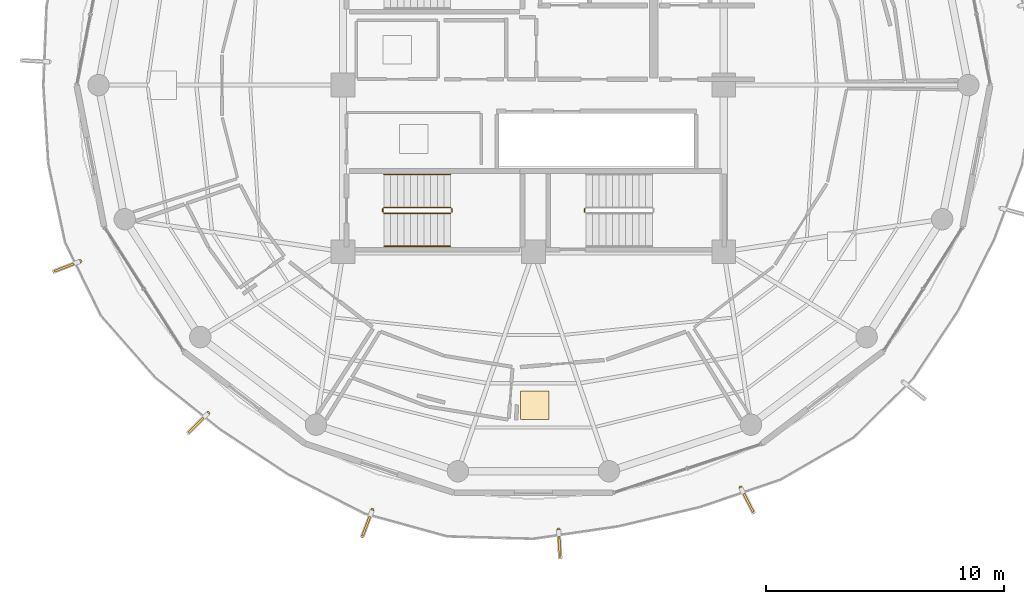
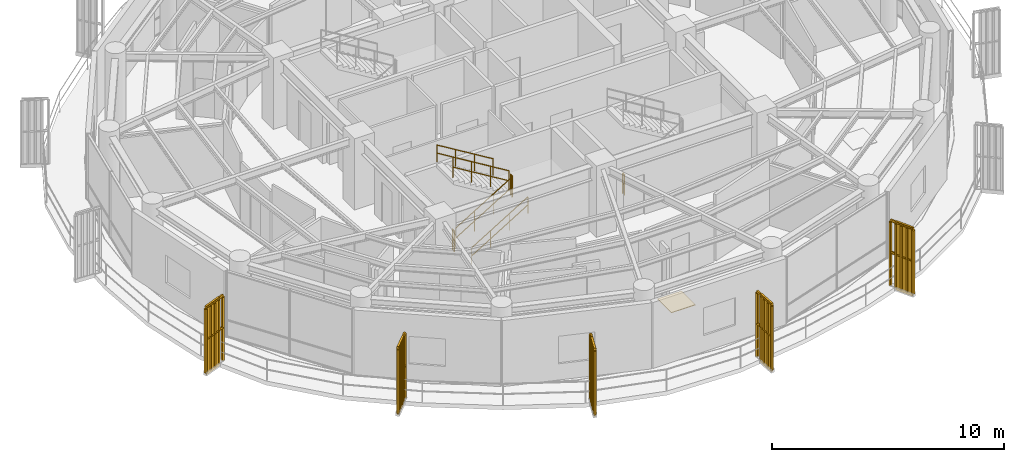
# One storey, part 20 of 23: 12 railings, 5 shading devices, 1 covering.
"""IFC4 building model written with IfcOpenShell, lengths in metres."""

from ifc_helpers import new_model, si_unit, direction, frame, origin, origin_2d, place, context, subcontext, project, spatial, polyline, rectangle, outline, extrude, source, transform, mapped, material, layer, layer_set, type_object, element, save


model = new_model("IFC4")

# Units and contexts
model_context = context("Model", 3, precision=1e-05, world=origin(), true_north=direction((0.0, 1.0)))
body_context = subcontext(model_context, "Body", "Model", "MODEL_VIEW")
ifc_project = project(units=[si_unit("LENGTHUNIT", "METRE"), si_unit("AREAUNIT", "SQUARE_METRE"), si_unit("VOLUMEUNIT", "CUBIC_METRE"), si_unit("PLANEANGLEUNIT", "RADIAN"), si_unit("MASSUNIT", "GRAM", prefix="KILO")], contexts=[model_context])

# Site, building, storey
site_placement = place(None, origin())
site = spatial("IfcSite", under=ifc_project, at=site_placement, CompositionType="ELEMENT")
building_placement = place(site_placement, origin())
building = spatial("IfcBuilding", under=site, at=building_placement, Name="Kelanora Arch Commons", CompositionType="ELEMENT")
storey_placement = place(building_placement, frame((0.0, 0.0, 278.699951171875)))
storey = spatial("IfcBuildingStorey", under=building, at=storey_placement, Name="L71", CompositionType="ELEMENT", Elevation=278.699951171875)

# Railings
ifc_material_1 = material(Name="Anodised bronze vertical shading fin rib assembly")
railing_type_1 = type_object("IfcRailingType", Name="RAIL-FIN-BRZ", PredefinedType="BALUSTRADE", material=ifc_material_1)
railing_1_placement = place(storey_placement, frame((54.947509765625, 50.593994140625, -0.02001953125)))
element("IfcRailing", 1, at=railing_1_placement, inside=storey, type_object=railing_type_1, Name="Sweeping Bronze Vertical Fin Blade L71-09", PredefinedType="BALUSTRADE", context=body_context, shape_type="SweptSolid", body=[
    extrude(outline(polyline([(0.06982421875, 0.0), (0.034912109375, 0.060546875), (-0.034912109375, 0.060546875), (-0.06982421875, 0.0), (-0.034912109375, -0.060546875), (0.034912109375, -0.060546875), (0.06982421875, 0.0)])), frame((0.0, 0.0, 3.419921875), z_axis=(-0.932079488436, -0.362253816042, 0.0), x_axis=(0.362253816042, -0.932079488436, 0.0)), (0.0, 0.0, 1.0), 1.163330078125),
    extrude(outline(polyline([(0.06982421875, 0.0), (0.034912109375, 0.060546875), (-0.034912109375, 0.060546875), (-0.06982421875, 0.0), (-0.034912109375, -0.060546875), (0.034912109375, -0.060546875), (0.06982421875, 0.0)])), frame((0.0, 0.0, 1.7451171875), z_axis=(-0.932079488436, -0.362253816042, 0.0), x_axis=(0.362253816042, -0.932079488436, 0.0)), (0.0, 0.0, 1.0), 1.163330078125),
    extrude(outline(polyline([(0.080078125, 0.0), (0.0400390625, 0.0693359375), (-0.0400390625, 0.0693359375), (-0.080078125, 0.0), (-0.0400390625, -0.0693359375), (0.0400390625, -0.0693359375), (0.080078125, 0.0)])), origin(), (0.0, 0.0, 1.0), 3.35009765625),
    extrude(outline(polyline([(0.080078125, 0.0), (0.0400390625, 0.0693359375), (-0.0400390625, 0.0693359375), (-0.080078125, 0.0), (-0.0400390625, -0.0693359375), (0.0400390625, -0.0693359375), (0.080078125, 0.0)])), frame((-0.27099609375, -0.10546875, 0.0)), (0.0, 0.0, 1.0), 3.35009765625),
    extrude(outline(polyline([(0.080078125, 0.0), (0.0400390625, 0.0693359375), (-0.0400390625, 0.0693359375), (-0.080078125, 0.0), (-0.0400390625, -0.0693359375), (0.0400390625, -0.0693359375), (0.080078125, 0.0)])), frame((-0.5419921875, -0.210693359375, 0.0)), (0.0, 0.0, 1.0), 3.35009765625),
    extrude(outline(polyline([(0.080078125, 0.0), (0.0400390625, 0.0693359375), (-0.0400390625, 0.0693359375), (-0.080078125, 0.0), (-0.0400390625, -0.0693359375), (0.0400390625, -0.0693359375), (0.080078125, 0.0)])), frame((-0.813232421875, -0.31591796875, 0.0)), (0.0, 0.0, 1.0), 3.35009765625),
    extrude(outline(polyline([(0.080078125, 0.0), (0.0400390625, 0.0693359375), (-0.0400390625, 0.0693359375), (-0.080078125, 0.0), (-0.0400390625, -0.0693359375), (0.0400390625, -0.0693359375), (0.080078125, 0.0)])), frame((-1.084228515625, -0.42138671875, 0.0)), (0.0, 0.0, 1.0), 3.35009765625),
])
railing_2_placement = place(storey_placement, frame((60.32861328125, 44.21240234375, -0.02001953125)))
element("IfcRailing", 2, at=railing_2_placement, inside=storey, type_object=railing_type_1, Name="Sweeping Bronze Vertical Fin Blade L71-10", PredefinedType="BALUSTRADE", context=body_context, shape_type="SweptSolid", body=[
    extrude(outline(polyline([(0.06982421875, 0.0), (0.034912109375, 0.060546875), (-0.034912109375, 0.060546875), (-0.06982421875, 0.0), (-0.034912109375, -0.060546875), (0.034912109375, -0.060546875), (0.06982421875, 0.0)])), frame((0.0, 0.0, 3.419921875), z_axis=(-0.704162293787, -0.710039058087, 0.0), x_axis=(0.710039058087, -0.704162293787, 0.0)), (0.0, 0.0, 1.0), 1.163330078125),
    extrude(outline(polyline([(0.06982421875, 0.0), (0.034912109375, 0.060546875), (-0.034912109375, 0.060546875), (-0.06982421875, 0.0), (-0.034912109375, -0.060546875), (0.034912109375, -0.060546875), (0.06982421875, 0.0)])), frame((0.0, 0.0, 1.7451171875), z_axis=(-0.704162293787, -0.710039058087, 0.0), x_axis=(0.710039058087, -0.704162293787, 0.0)), (0.0, 0.0, 1.0), 1.163330078125),
    extrude(outline(polyline([(0.080078125, 0.0), (0.0400390625, 0.0693359375), (-0.0400390625, 0.0693359375), (-0.080078125, 0.0), (-0.0400390625, -0.0693359375), (0.0400390625, -0.0693359375), (0.080078125, 0.0)])), origin(), (0.0, 0.0, 1.0), 3.35009765625),
    extrude(outline(polyline([(0.080078125, 0.0), (0.0400390625, 0.0693359375), (-0.0400390625, 0.0693359375), (-0.080078125, 0.0), (-0.0400390625, -0.0693359375), (0.0400390625, -0.0693359375), (0.080078125, 0.0)])), frame((-0.204833984375, -0.20654296875, 0.0)), (0.0, 0.0, 1.0), 3.35009765625),
    extrude(outline(polyline([(0.080078125, 0.0), (0.0400390625, 0.0693359375), (-0.0400390625, 0.0693359375), (-0.080078125, 0.0), (-0.0400390625, -0.0693359375), (0.0400390625, -0.0693359375), (0.080078125, 0.0)])), frame((-0.40966796875, -0.4130859375, 0.0)), (0.0, 0.0, 1.0), 3.35009765625),
    extrude(outline(polyline([(0.080078125, 0.0), (0.0400390625, 0.0693359375), (-0.0400390625, 0.0693359375), (-0.080078125, 0.0), (-0.0400390625, -0.0693359375), (0.0400390625, -0.0693359375), (0.080078125, 0.0)])), frame((-0.6142578125, -0.619384765625, 0.0)), (0.0, 0.0, 1.0), 3.35009765625),
    extrude(outline(polyline([(0.080078125, 0.0), (0.0400390625, 0.0693359375), (-0.0400390625, 0.0693359375), (-0.080078125, 0.0), (-0.0400390625, -0.0693359375), (0.0400390625, -0.0693359375), (0.080078125, 0.0)])), frame((-0.819091796875, -0.825927734375, 0.0)), (0.0, 0.0, 1.0), 3.35009765625),
])
railing_3_placement = place(storey_placement, frame((67.2275390625, 40.132080078125, -0.02001953125)))
element("IfcRailing", 3, at=railing_3_placement, inside=storey, type_object=railing_type_1, Name="Sweeping Bronze Vertical Fin Blade L71-11", PredefinedType="BALUSTRADE", context=body_context, shape_type="SweptSolid", body=[
    extrude(outline(polyline([(0.06982421875, 0.0), (0.034912109375, 0.060546875), (-0.034912109375, 0.060546875), (-0.06982421875, 0.0), (-0.034912109375, -0.060546875), (0.034912109375, -0.060546875), (0.06982421875, 0.0)])), frame((0.0, 0.0, 3.419921875), z_axis=(-0.35443281519, -0.935081482822, 0.0), x_axis=(0.935081482822, -0.35443281519, 0.0)), (0.0, 0.0, 1.0), 1.163330078125),
    extrude(outline(polyline([(0.06982421875, 0.0), (0.034912109375, 0.060546875), (-0.034912109375, 0.060546875), (-0.06982421875, 0.0), (-0.034912109375, -0.060546875), (0.034912109375, -0.060546875), (0.06982421875, 0.0)])), frame((0.0, 0.0, 1.7451171875), z_axis=(-0.35443281519, -0.935081482822, 0.0), x_axis=(0.935081482822, -0.35443281519, 0.0)), (0.0, 0.0, 1.0), 1.163330078125),
    extrude(outline(polyline([(0.080078125, 0.0), (0.0400390625, 0.0693359375), (-0.0400390625, 0.0693359375), (-0.080078125, 0.0), (-0.0400390625, -0.0693359375), (0.0400390625, -0.0693359375), (0.080078125, 0.0)])), origin(), (0.0, 0.0, 1.0), 3.35009765625),
    extrude(outline(polyline([(0.080078125, 0.0), (0.0400390625, 0.0693359375), (-0.0400390625, 0.0693359375), (-0.080078125, 0.0), (-0.0400390625, -0.0693359375), (0.0400390625, -0.0693359375), (0.080078125, 0.0)])), frame((-0.10302734375, -0.27197265625, 0.0)), (0.0, 0.0, 1.0), 3.35009765625),
    extrude(outline(polyline([(0.080078125, 0.0), (0.0400390625, 0.0693359375), (-0.0400390625, 0.0693359375), (-0.080078125, 0.0), (-0.0400390625, -0.0693359375), (0.0400390625, -0.0693359375), (0.080078125, 0.0)])), frame((-0.2060546875, -0.5439453125, 0.0)), (0.0, 0.0, 1.0), 3.35009765625),
    extrude(outline(polyline([(0.080078125, 0.0), (0.0400390625, 0.0693359375), (-0.0400390625, 0.0693359375), (-0.080078125, 0.0), (-0.0400390625, -0.0693359375), (0.0400390625, -0.0693359375), (0.080078125, 0.0)])), frame((-0.309326171875, -0.81591796875, 0.0)), (0.0, 0.0, 1.0), 3.35009765625),
    extrude(outline(polyline([(0.080078125, 0.0), (0.0400390625, 0.0693359375), (-0.0400390625, 0.0693359375), (-0.080078125, 0.0), (-0.0400390625, -0.0693359375), (0.0400390625, -0.0693359375), (0.080078125, 0.0)])), frame((-0.412353515625, -1.087890625, 0.0)), (0.0, 0.0, 1.0), 3.35009765625),
])
railing_4_placement = place(storey_placement, frame((75.05859375, 39.3134765625, -0.02001953125)))
element("IfcRailing", 4, at=railing_4_placement, inside=storey, type_object=railing_type_1, Name="Sweeping Bronze Vertical Fin Blade L71-12", PredefinedType="BALUSTRADE", context=body_context, shape_type="SweptSolid", body=[
    extrude(outline(polyline([(0.06982421875, 0.0), (0.034912109375, 0.060546875), (-0.034912109375, 0.060546875), (-0.06982421875, 0.0), (-0.034912109375, -0.060546875), (0.034912109375, -0.060546875), (0.06982421875, 0.0)])), frame((0.0, 0.0, 3.419921875), z_axis=(0.056458048676, -0.998404972313, 0.0), x_axis=(0.998404972313, 0.056458048676, 0.0)), (0.0, 0.0, 1.0), 1.163330078125),
    extrude(outline(polyline([(0.06982421875, 0.0), (0.034912109375, 0.060546875), (-0.034912109375, 0.060546875), (-0.06982421875, 0.0), (-0.034912109375, -0.060546875), (0.034912109375, -0.060546875), (0.06982421875, 0.0)])), frame((0.0, 0.0, 1.7451171875), z_axis=(0.056458048676, -0.998404972313, 0.0), x_axis=(0.998404972313, 0.056458048676, 0.0)), (0.0, 0.0, 1.0), 1.163330078125),
    extrude(outline(polyline([(0.080078125, 0.0), (0.0400390625, 0.0693359375), (-0.0400390625, 0.0693359375), (-0.080078125, 0.0), (-0.0400390625, -0.0693359375), (0.0400390625, -0.0693359375), (0.080078125, 0.0)])), origin(), (0.0, 0.0, 1.0), 3.35009765625),
    extrude(outline(polyline([(0.080078125, 0.0), (0.0400390625, 0.0693359375), (-0.0400390625, 0.0693359375), (-0.080078125, 0.0), (-0.0400390625, -0.0693359375), (0.0400390625, -0.0693359375), (0.080078125, 0.0)])), frame((0.016357421875, -0.290283203125, 0.0)), (0.0, 0.0, 1.0), 3.35009765625),
    extrude(outline(polyline([(0.080078125, 0.0), (0.0400390625, 0.0693359375), (-0.0400390625, 0.0693359375), (-0.080078125, 0.0), (-0.0400390625, -0.0693359375), (0.0400390625, -0.0693359375), (0.080078125, 0.0)])), frame((0.03271484375, -0.58056640625, 0.0)), (0.0, 0.0, 1.0), 3.35009765625),
    extrude(outline(polyline([(0.080078125, 0.0), (0.0400390625, 0.0693359375), (-0.0400390625, 0.0693359375), (-0.080078125, 0.0), (-0.0400390625, -0.0693359375), (0.0400390625, -0.0693359375), (0.080078125, 0.0)])), frame((0.04931640625, -0.87109375, 0.0)), (0.0, 0.0, 1.0), 3.35009765625),
    extrude(outline(polyline([(0.080078125, 0.0), (0.0400390625, 0.0693359375), (-0.0400390625, 0.0693359375), (-0.080078125, 0.0), (-0.0400390625, -0.0693359375), (0.0400390625, -0.0693359375), (0.080078125, 0.0)])), frame((0.065673828125, -1.161376953125, 0.0)), (0.0, 0.0, 1.0), 3.35009765625),
])
railing_5_placement = place(storey_placement, frame((82.7109375, 41.080810546875, -0.02001953125)))
element("IfcRailing", 5, at=railing_5_placement, inside=storey, type_object=railing_type_1, Name="Sweeping Bronze Vertical Fin Blade L71-13", PredefinedType="BALUSTRADE", context=body_context, shape_type="SweptSolid", body=[
    extrude(outline(polyline([(0.06982421875, 0.0), (0.034912109375, 0.060546875), (-0.034912109375, 0.060546875), (-0.06982421875, 0.0), (-0.034912109375, -0.060546875), (0.034912109375, -0.060546875), (0.06982421875, 0.0)])), frame((0.0, 0.0, 3.419921875), z_axis=(0.457760553285, -0.889075517522, 0.0), x_axis=(0.889075517522, 0.457760553285, 0.0)), (0.0, 0.0, 1.0), 1.1630859375),
    extrude(outline(polyline([(0.06982421875, 0.0), (0.034912109375, 0.060546875), (-0.034912109375, 0.060546875), (-0.06982421875, 0.0), (-0.034912109375, -0.060546875), (0.034912109375, -0.060546875), (0.06982421875, 0.0)])), frame((0.0, 0.0, 1.7451171875), z_axis=(0.457760553285, -0.889075517522, 0.0), x_axis=(0.889075517522, 0.457760553285, 0.0)), (0.0, 0.0, 1.0), 1.1630859375),
    extrude(outline(polyline([(0.080078125, 0.0), (0.0400390625, 0.0693359375), (-0.0400390625, 0.0693359375), (-0.080078125, 0.0), (-0.0400390625, -0.0693359375), (0.0400390625, -0.0693359375), (0.080078125, 0.0)])), origin(), (0.0, 0.0, 1.0), 3.35009765625),
    extrude(outline(polyline([(0.080078125, 0.0), (0.0400390625, 0.0693359375), (-0.0400390625, 0.0693359375), (-0.080078125, 0.0), (-0.0400390625, -0.0693359375), (0.0400390625, -0.0693359375), (0.080078125, 0.0)])), frame((0.133056640625, -0.258544921875, 0.0)), (0.0, 0.0, 1.0), 3.35009765625),
    extrude(outline(polyline([(0.080078125, 0.0), (0.0400390625, 0.0693359375), (-0.0400390625, 0.0693359375), (-0.080078125, 0.0), (-0.0400390625, -0.0693359375), (0.0400390625, -0.0693359375), (0.080078125, 0.0)])), frame((0.26611328125, -0.51708984375, 0.0)), (0.0, 0.0, 1.0), 3.35009765625),
    extrude(outline(polyline([(0.080078125, 0.0), (0.0400390625, 0.0693359375), (-0.0400390625, 0.0693359375), (-0.080078125, 0.0), (-0.0400390625, -0.0693359375), (0.0400390625, -0.0693359375), (0.080078125, 0.0)])), frame((0.3994140625, -0.775634765625, 0.0)), (0.0, 0.0, 1.0), 3.35009765625),
    extrude(outline(polyline([(0.080078125, 0.0), (0.0400390625, 0.0693359375), (-0.0400390625, 0.0693359375), (-0.080078125, 0.0), (-0.0400390625, -0.0693359375), (0.0400390625, -0.0693359375), (0.080078125, 0.0)])), frame((0.532470703125, -1.0341796875, 0.0)), (0.0, 0.0, 1.0), 3.35009765625),
])
ifc_material_2 = material(Name="Painted steel stair well guard", Category="steel")
railing_type_2 = type_object("IfcRailingType", Name="RAIL-STAIR-GRD", PredefinedType="GUARDRAIL", material=ifc_material_2)
railing_6_placement = place(storey_placement, frame((76.14990234375, 52.659912109375, 0.0)))
element("IfcRailing", 6, at=railing_6_placement, inside=storey, type_object=railing_type_2, Name="L71 ST-T2 stair guard 4", PredefinedType="GUARDRAIL", context=body_context, shape_type="SweptSolid", body=[
    extrude(outline(polyline([(0.02392578125, 0.0), (0.011962890625, 0.020751953125), (-0.011962890625, 0.020751953125), (-0.02392578125, 0.0), (-0.011962890625, -0.020751953125), (0.011962890625, -0.020751953125), (0.02392578125, 0.0)])), frame((0.0, 0.0, 1.076171875), z_axis=(0.0, 1.0, 0.0), x_axis=(-1.0, 0.0, 0.0)), (0.0, 0.0, 1.0), 0.150146484375),
    extrude(outline(polyline([(0.02392578125, 0.0), (0.011962890625, 0.020751953125), (-0.011962890625, 0.020751953125), (-0.02392578125, 0.0), (-0.011962890625, -0.020751953125), (0.011962890625, -0.020751953125), (0.02392578125, 0.0)])), frame((0.0, 0.0, 0.550048828125), z_axis=(0.0, 1.0, 0.0), x_axis=(-1.0, 0.0, 0.0)), (0.0, 0.0, 1.0), 0.150146484375),
    extrude(outline(polyline([(0.02099609375, 0.0), (0.010498046875, 0.01806640625), (-0.010498046875, 0.01806640625), (-0.02099609375, 0.0), (-0.010498046875, -0.01806640625), (0.010498046875, -0.01806640625), (0.02099609375, 0.0)])), origin(), (0.0, 0.0, 1.0), 1.052001953125),
    extrude(outline(polyline([(0.02099609375, 0.0), (0.010498046875, 0.01806640625), (-0.010498046875, 0.01806640625), (-0.02099609375, 0.0), (-0.010498046875, -0.01806640625), (0.010498046875, -0.01806640625), (0.02099609375, 0.0)])), frame((0.0, 0.150146484375, 0.0)), (0.0, 0.0, 1.0), 1.052001953125),
])
railing_7_placement = place(storey_placement, frame((67.719970703125, 52.610107421875, 0.17041015625)))
element("IfcRailing", 7, at=railing_7_placement, inside=storey, type_object=railing_type_2, Name="L71 ST-T3 stair guard 1", PredefinedType="GUARDRAIL", context=body_context, shape_type="SweptSolid", body=[
    extrude(outline(polyline([(0.02392578125, 0.0), (0.011962890625, 0.020751953125), (-0.011962890625, 0.020751953125), (-0.02392578125, 0.0), (-0.011962890625, -0.020751953125), (0.011962890625, -0.020751953125), (0.02392578125, 0.0)])), frame((0.0, 0.0, 1.076171875), z_axis=(0.854169791009, 0.0, 0.51999420009), x_axis=(0.0, 1.0, 0.0)), (0.0, 0.0, 1.0), 3.278076171875),
    extrude(outline(polyline([(0.02392578125, 0.0), (0.011962890625, 0.020751953125), (-0.011962890625, 0.020751953125), (-0.02392578125, 0.0), (-0.011962890625, -0.020751953125), (0.011962890625, -0.020751953125), (0.02392578125, 0.0)])), frame((0.0, 0.0, 0.550048828125), z_axis=(0.854169791009, 0.0, 0.51999420009), x_axis=(0.0, 1.0, 0.0)), (0.0, 0.0, 1.0), 3.278076171875),
    extrude(outline(polyline([(0.02099609375, 0.0), (0.010498046875, 0.01806640625), (-0.010498046875, 0.01806640625), (-0.02099609375, 0.0), (-0.010498046875, -0.01806640625), (0.010498046875, -0.01806640625), (0.02099609375, 0.0)])), origin(), (0.0, 0.0, 1.0), 1.052001953125),
    extrude(outline(polyline([(0.02099609375, 0.0), (0.010498046875, 0.01806640625), (-0.010498046875, 0.01806640625), (-0.02099609375, 0.0), (-0.010498046875, -0.01806640625), (0.010498046875, -0.01806640625), (0.02099609375, 0.0)])), frame((0.933349609375, 0.0, 0.568115234375)), (0.0, 0.0, 1.0), 1.052001953125),
    extrude(outline(polyline([(0.02099609375, 0.0), (0.010498046875, 0.01806640625), (-0.010498046875, 0.01806640625), (-0.02099609375, 0.0), (-0.010498046875, -0.01806640625), (0.010498046875, -0.01806640625), (0.02099609375, 0.0)])), frame((1.86669921875, 0.0, 1.136474609375)), (0.0, 0.0, 1.0), 1.052001953125),
    extrude(outline(polyline([(0.02099609375, 0.0), (0.010498046875, 0.01806640625), (-0.010498046875, 0.01806640625), (-0.02099609375, 0.0), (-0.010498046875, -0.01806640625), (0.010498046875, -0.01806640625), (0.02099609375, 0.0)])), frame((2.800048828125, 0.0, 1.70458984375)), (0.0, 0.0, 1.0), 1.052001953125),
])
railing_8_placement = place(storey_placement, frame((70.570068359375, 52.659912109375, 1.875)))
element("IfcRailing", 8, at=railing_8_placement, inside=storey, type_object=railing_type_2, Name="L71 ST-T3 stair guard 2", PredefinedType="GUARDRAIL", context=body_context, shape_type="SweptSolid", body=[
    extrude(outline(polyline([(0.02392578125, 0.0), (0.011962890625, 0.020751953125), (-0.011962890625, 0.020751953125), (-0.02392578125, 0.0), (-0.011962890625, -0.020751953125), (0.011962890625, -0.020751953125), (0.02392578125, 0.0)])), frame((0.0, 0.0, 1.076171875), z_axis=(0.0, 1.0, 0.0), x_axis=(-1.0, 0.0, 0.0)), (0.0, 0.0, 1.0), 0.150146484375),
    extrude(outline(polyline([(0.02392578125, 0.0), (0.011962890625, 0.020751953125), (-0.011962890625, 0.020751953125), (-0.02392578125, 0.0), (-0.011962890625, -0.020751953125), (0.011962890625, -0.020751953125), (0.02392578125, 0.0)])), frame((0.0, 0.0, 0.550048828125), z_axis=(0.0, 1.0, 0.0), x_axis=(-1.0, 0.0, 0.0)), (0.0, 0.0, 1.0), 0.150146484375),
    extrude(outline(polyline([(0.02099609375, 0.0), (0.010498046875, 0.01806640625), (-0.010498046875, 0.01806640625), (-0.02099609375, 0.0), (-0.010498046875, -0.01806640625), (0.010498046875, -0.01806640625), (0.02099609375, 0.0)])), origin(), (0.0, 0.0, 1.0), 1.052001953125),
    extrude(outline(polyline([(0.02099609375, 0.0), (0.010498046875, 0.01806640625), (-0.010498046875, 0.01806640625), (-0.02099609375, 0.0), (-0.010498046875, -0.01806640625), (0.010498046875, -0.01806640625), (0.02099609375, 0.0)])), frame((0.0, 0.150146484375, 0.0)), (0.0, 0.0, 1.0), 1.052001953125),
])
railing_9_placement = place(storey_placement, frame((70.52001953125, 52.860107421875, 2.04541015625)))
element("IfcRailing", 9, at=railing_9_placement, inside=storey, type_object=railing_type_2, Name="L71 ST-T3 stair guard 3", PredefinedType="GUARDRAIL", context=body_context, shape_type="SweptSolid", body=[
    extrude(outline(polyline([(0.02392578125, 0.0), (0.011962890625, 0.020751953125), (-0.011962890625, 0.020751953125), (-0.02392578125, 0.0), (-0.011962890625, -0.020751953125), (0.011962890625, -0.020751953125), (0.02392578125, 0.0)])), frame((0.0, 0.0, 1.076171875), z_axis=(-0.854169791009, 0.0, 0.51999420009), x_axis=(0.0, -1.0, 0.0)), (0.0, 0.0, 1.0), 3.278076171875),
    extrude(outline(polyline([(0.02392578125, 0.0), (0.011962890625, 0.020751953125), (-0.011962890625, 0.020751953125), (-0.02392578125, 0.0), (-0.011962890625, -0.020751953125), (0.011962890625, -0.020751953125), (0.02392578125, 0.0)])), frame((0.0, 0.0, 0.550048828125), z_axis=(-0.854169791009, 0.0, 0.51999420009), x_axis=(0.0, -1.0, 0.0)), (0.0, 0.0, 1.0), 3.278076171875),
    extrude(outline(polyline([(0.02099609375, 0.0), (0.010498046875, 0.01806640625), (-0.010498046875, 0.01806640625), (-0.02099609375, 0.0), (-0.010498046875, -0.01806640625), (0.010498046875, -0.01806640625), (0.02099609375, 0.0)])), origin(), (0.0, 0.0, 1.0), 1.052001953125),
    extrude(outline(polyline([(0.02099609375, 0.0), (0.010498046875, 0.01806640625), (-0.010498046875, 0.01806640625), (-0.02099609375, 0.0), (-0.010498046875, -0.01806640625), (0.010498046875, -0.01806640625), (0.02099609375, 0.0)])), frame((-0.933349609375, 0.0, 0.568115234375)), (0.0, 0.0, 1.0), 1.052001953125),
    extrude(outline(polyline([(0.02099609375, 0.0), (0.010498046875, 0.01806640625), (-0.010498046875, 0.01806640625), (-0.02099609375, 0.0), (-0.010498046875, -0.01806640625), (0.010498046875, -0.01806640625), (0.02099609375, 0.0)])), frame((-1.86669921875, 0.0, 1.136474609375)), (0.0, 0.0, 1.0), 1.052001953125),
    extrude(outline(polyline([(0.02099609375, 0.0), (0.010498046875, 0.01806640625), (-0.010498046875, 0.01806640625), (-0.02099609375, 0.0), (-0.010498046875, -0.01806640625), (0.010498046875, -0.01806640625), (0.02099609375, 0.0)])), frame((-2.800048828125, 0.0, 1.70458984375)), (0.0, 0.0, 1.0), 1.052001953125),
])
railing_10_placement = place(storey_placement, frame((67.669921875, 52.659912109375, 0.0)))
element("IfcRailing", 10, at=railing_10_placement, inside=storey, type_object=railing_type_2, Name="L71 ST-T3 stair guard 4", PredefinedType="GUARDRAIL", context=body_context, shape_type="SweptSolid", body=[
    extrude(outline(polyline([(0.02392578125, 0.0), (0.011962890625, 0.020751953125), (-0.011962890625, 0.020751953125), (-0.02392578125, 0.0), (-0.011962890625, -0.020751953125), (0.011962890625, -0.020751953125), (0.02392578125, 0.0)])), frame((0.0, 0.0, 1.076171875), z_axis=(0.0, 1.0, 0.0), x_axis=(-1.0, 0.0, 0.0)), (0.0, 0.0, 1.0), 0.150146484375),
    extrude(outline(polyline([(0.02392578125, 0.0), (0.011962890625, 0.020751953125), (-0.011962890625, 0.020751953125), (-0.02392578125, 0.0), (-0.011962890625, -0.020751953125), (0.011962890625, -0.020751953125), (0.02392578125, 0.0)])), frame((0.0, 0.0, 0.550048828125), z_axis=(0.0, 1.0, 0.0), x_axis=(-1.0, 0.0, 0.0)), (0.0, 0.0, 1.0), 0.150146484375),
    extrude(outline(polyline([(0.02099609375, 0.0), (0.010498046875, 0.01806640625), (-0.010498046875, 0.01806640625), (-0.02099609375, 0.0), (-0.010498046875, -0.01806640625), (0.010498046875, -0.01806640625), (0.02099609375, 0.0)])), origin(), (0.0, 0.0, 1.0), 1.052001953125),
    extrude(outline(polyline([(0.02099609375, 0.0), (0.010498046875, 0.01806640625), (-0.010498046875, 0.01806640625), (-0.02099609375, 0.0), (-0.010498046875, -0.01806640625), (0.010498046875, -0.01806640625), (0.02099609375, 0.0)])), frame((0.0, 0.150146484375, 0.0)), (0.0, 0.0, 1.0), 1.052001953125),
])
ifc_material_3 = material(Name="Brushed stainless steel stair handrail", Category="steel")
railing_type_3 = type_object("IfcRailingType", Name="RAIL-STAIR-HND", PredefinedType="HANDRAIL", material=ifc_material_3)
railing_11_placement = place(storey_placement, frame((67.719970703125, 51.22998046875, 0.17041015625)))
element("IfcRailing", 11, at=railing_11_placement, inside=storey, type_object=railing_type_3, Name="L71 ST-T3 stair handrail 1", PredefinedType="HANDRAIL", context=body_context, shape_type="SweptSolid", body=[
    extrude(outline(polyline([(0.02392578125, 0.0), (0.011962890625, 0.020751953125), (-0.011962890625, 0.020751953125), (-0.02392578125, 0.0), (-0.011962890625, -0.020751953125), (0.011962890625, -0.020751953125), (0.02392578125, 0.0)])), frame((0.0, 0.0, 0.8759765625), z_axis=(0.854169791009, 0.0, 0.51999420009), x_axis=(0.0, 1.0, 0.0)), (0.0, 0.0, 1.0), 3.278076171875),
    extrude(outline(polyline([(0.02392578125, 0.0), (0.011962890625, 0.020751953125), (-0.011962890625, 0.020751953125), (-0.02392578125, 0.0), (-0.011962890625, -0.020751953125), (0.011962890625, -0.020751953125), (0.02392578125, 0.0)])), frame((0.0, 0.0, 0.449951171875), z_axis=(0.854169791009, 0.0, 0.51999420009), x_axis=(0.0, 1.0, 0.0)), (0.0, 0.0, 1.0), 3.278076171875),
    extrude(outline(polyline([(0.02099609375, 0.0), (0.010498046875, 0.01806640625), (-0.010498046875, 0.01806640625), (-0.02099609375, 0.0), (-0.010498046875, -0.01806640625), (0.010498046875, -0.01806640625), (0.02099609375, 0.0)])), origin(), (0.0, 0.0, 1.0), 0.851806640625),
    extrude(outline(polyline([(0.02099609375, 0.0), (0.010498046875, 0.01806640625), (-0.010498046875, 0.01806640625), (-0.02099609375, 0.0), (-0.010498046875, -0.01806640625), (0.010498046875, -0.01806640625), (0.02099609375, 0.0)])), frame((0.933349609375, 0.0, 0.568115234375)), (0.0, 0.0, 1.0), 0.851806640625),
    extrude(outline(polyline([(0.02099609375, 0.0), (0.010498046875, 0.01806640625), (-0.010498046875, 0.01806640625), (-0.02099609375, 0.0), (-0.010498046875, -0.01806640625), (0.010498046875, -0.01806640625), (0.02099609375, 0.0)])), frame((1.86669921875, 0.0, 1.136474609375)), (0.0, 0.0, 1.0), 0.851806640625),
    extrude(outline(polyline([(0.02099609375, 0.0), (0.010498046875, 0.01806640625), (-0.010498046875, 0.01806640625), (-0.02099609375, 0.0), (-0.010498046875, -0.01806640625), (0.010498046875, -0.01806640625), (0.02099609375, 0.0)])), frame((2.800048828125, 0.0, 1.70458984375)), (0.0, 0.0, 1.0), 0.851806640625),
])
railing_12_placement = place(storey_placement, frame((70.52001953125, 54.239990234375, 2.04541015625)))
element("IfcRailing", 12, at=railing_12_placement, inside=storey, type_object=railing_type_3, Name="L71 ST-T3 stair handrail 2", PredefinedType="HANDRAIL", context=body_context, shape_type="SweptSolid", body=[
    extrude(outline(polyline([(0.02392578125, 0.0), (0.011962890625, 0.020751953125), (-0.011962890625, 0.020751953125), (-0.02392578125, 0.0), (-0.011962890625, -0.020751953125), (0.011962890625, -0.020751953125), (0.02392578125, 0.0)])), frame((0.0, 0.0, 0.8759765625), z_axis=(-0.854169791009, 0.0, 0.51999420009), x_axis=(0.0, -1.0, 0.0)), (0.0, 0.0, 1.0), 3.278076171875),
    extrude(outline(polyline([(0.02392578125, 0.0), (0.011962890625, 0.020751953125), (-0.011962890625, 0.020751953125), (-0.02392578125, 0.0), (-0.011962890625, -0.020751953125), (0.011962890625, -0.020751953125), (0.02392578125, 0.0)])), frame((0.0, 0.0, 0.449951171875), z_axis=(-0.854169791009, 0.0, 0.51999420009), x_axis=(0.0, -1.0, 0.0)), (0.0, 0.0, 1.0), 3.278076171875),
    extrude(outline(polyline([(0.02099609375, 0.0), (0.010498046875, 0.01806640625), (-0.010498046875, 0.01806640625), (-0.02099609375, 0.0), (-0.010498046875, -0.01806640625), (0.010498046875, -0.01806640625), (0.02099609375, 0.0)])), origin(), (0.0, 0.0, 1.0), 0.851806640625),
    extrude(outline(polyline([(0.02099609375, 0.0), (0.010498046875, 0.01806640625), (-0.010498046875, 0.01806640625), (-0.02099609375, 0.0), (-0.010498046875, -0.01806640625), (0.010498046875, -0.01806640625), (0.02099609375, 0.0)])), frame((-0.933349609375, 0.0, 0.568115234375)), (0.0, 0.0, 1.0), 0.851806640625),
    extrude(outline(polyline([(0.02099609375, 0.0), (0.010498046875, 0.01806640625), (-0.010498046875, 0.01806640625), (-0.02099609375, 0.0), (-0.010498046875, -0.01806640625), (0.010498046875, -0.01806640625), (0.02099609375, 0.0)])), frame((-1.86669921875, 0.0, 1.136474609375)), (0.0, 0.0, 1.0), 0.851806640625),
    extrude(outline(polyline([(0.02099609375, 0.0), (0.010498046875, 0.01806640625), (-0.010498046875, 0.01806640625), (-0.02099609375, 0.0), (-0.010498046875, -0.01806640625), (0.010498046875, -0.01806640625), (0.02099609375, 0.0)])), frame((-2.800048828125, 0.0, 1.70458984375)), (0.0, 0.0, 1.0), 0.851806640625),
])

# Shading devices
ifc_material_4 = material(Name="Terracotta ceramic-clad extruded aluminium fin", Category="masonry")
shading_device_type = type_object("IfcShadingDeviceType", Name="SHD-FIN-FLARE", PredefinedType="USERDEFINED", material=ifc_material_4)
shared_shape_1 = source(origin(), body_context, "Body", "SweptSolid", [
    extrude(rectangle(XDim=0.8798828125, YDim=0.090087890625, at=origin_2d()), origin(), (0.0, 0.0, 1.0), 3.610107421875),
])
for number, where, z_axis, x_axis, name in (
    (13, (54.276611328125, 50.3330078125, -0.14013671875), (0.0, 0.0, 1.0), (-0.932071112458, -0.362275366705, 0.0), "Sweeping Terracotta Fin L71-09"),
    (14, (59.821533203125, 43.701171875, -0.14013671875), (0.0, 0.0, 1.0), (-0.704138664464, -0.710062491058, 0.0), "Sweeping Terracotta Fin L71-10"),
    (15, (66.972412109375, 39.458740234375, -0.14013671875), (0.0, 0.0, 1.0), (-0.354454244484, -0.935073359992, 0.0), "Sweeping Terracotta Fin L71-11"),
    (16, (75.09912109375, 38.594482421875, -0.14013671875), (0.0, 0.0, 1.0), (0.056518534482, -0.998401550109, 0.0), "Sweeping Terracotta Fin L71-12"),
    (17, (83.04052734375, 40.440673828125, -0.14013671875), (0.0, 0.0, 1.0), (0.457718745382, -0.889097042019, 0.0), "Sweeping Terracotta Fin L71-13"),
):
    element("IfcShadingDevice", number, at=place(storey_placement, frame(where, z_axis=z_axis, x_axis=x_axis)), inside=storey, type_object=shading_device_type, Name=name, ObjectType="FIN", PredefinedType="USERDEFINED", context=body_context, shape_type="MappedRepresentation", body=[
        mapped(shared_shape_1, transform((0.0, 0.0, 0.0), scale=1.0)),
    ])

# Covering
ifc_material_5 = material(Name="Polished local granite terrazzo flooring", Category="masonry")
ifc_layer = layer(ifc_material_5, 0.030029296875)
ifc_layer_set = layer_set([ifc_layer], Name="Polished local granite terrazzo flooring")
covering_type = type_object("IfcCoveringType", Name="COV-FLR-TER", PredefinedType="FLOORING", material=ifc_layer_set)
shared_shape_2 = source(origin(), body_context, "Body", "SweptSolid", [
    extrude(rectangle(XDim=1.199951171875, YDim=1.199951171875, at=origin_2d()), origin(), (0.0, 0.0, 1.0), 0.030029296875),
])
covering_placement = place(storey_placement, frame((74.060302734375, 44.553955078125, 0.0), z_axis=(0.0, 0.0, 1.0), x_axis=(1.0, 0.0, 0.0)))
element("IfcCovering", 18, at=covering_placement, inside=storey, type_object=covering_type, Name="Co-Living Studio L71-05 Terrazzo Finish", PredefinedType="FLOORING", context=body_context, shape_type="MappedRepresentation", body=[
    mapped(shared_shape_2, transform((0.0, 0.0, 0.0), scale=1.0)),
])

save(model, "model.ifc")
